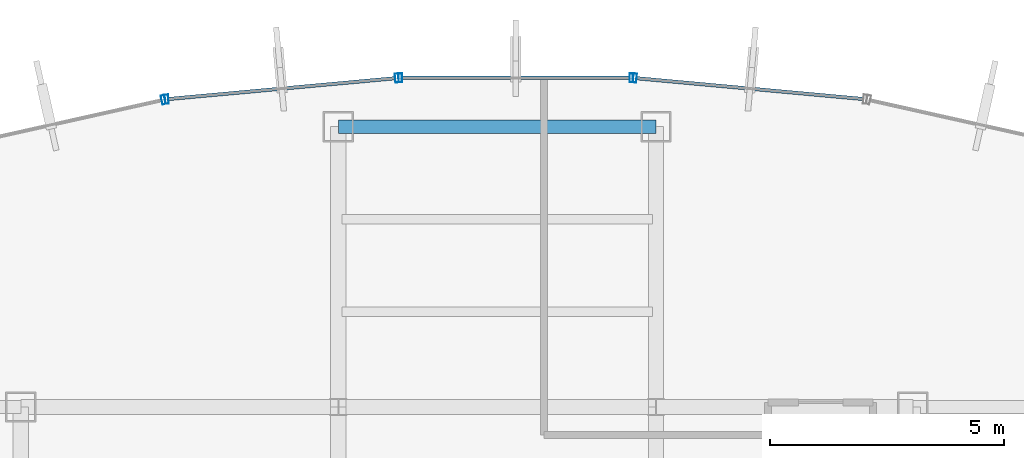
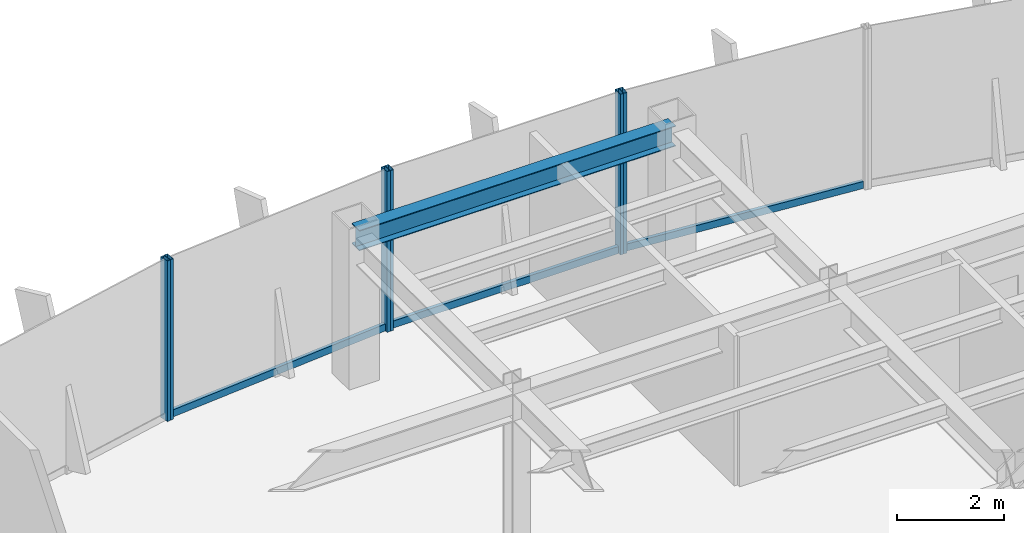
# One storey, part 10 of 19: 9 members, 1 beam, 4 elements without a shape of their own.
"""IFC4 building model written with IfcOpenShell, lengths in metres."""

from ifc_helpers import new_model, si_unit, derived_unit, direction, frame, origin, origin_2d, place, context, subcontext, project, spatial, hollow_rectangle, i_section, extrude, source, transform, mapped, material, material_profile, profile_set, type_object, element, aggregate, save


model = new_model("IFC4")

# Units and contexts
model_context = context("Model", 3, precision=1e-05, world=origin(), true_north=direction((0.0, 1.0)))
body_context = subcontext(model_context, "Body", "Model", "MODEL_VIEW")
ifc_project = project(units=[si_unit("LENGTHUNIT", "METRE"), si_unit("AREAUNIT", "SQUARE_METRE"), si_unit("VOLUMEUNIT", "CUBIC_METRE"), si_unit("PLANEANGLEUNIT", "RADIAN"), si_unit("MASSUNIT", "GRAM", prefix="KILO"), derived_unit("THERMALTRANSMITTANCEUNIT", [(si_unit("POWERUNIT", "WATT"), 1), (si_unit("LENGTHUNIT", "METRE"), -2), (si_unit("THERMODYNAMICTEMPERATUREUNIT", "KELVIN"), -1)])], contexts=[model_context])

# Site, building, storey
site_placement = place(None, origin())
site = spatial("IfcSite", under=ifc_project, at=site_placement, CompositionType="ELEMENT")
building_placement = place(site_placement, origin())
building = spatial("IfcBuilding", under=site, at=building_placement, Name="Skarnbrae Concourse Arena and Tower", CompositionType="ELEMENT")
storey_placement = place(building_placement, frame((0.0, 0.0, 180.75)))
storey = spatial("IfcBuildingStorey", under=building, at=storey_placement, Name="L46", CompositionType="ELEMENT", Elevation=180.75)

# Beam
ifc_material_1 = material(Name="Steel CSA G40.21 350W", Category="steel")
ifc_material_profile_1 = material_profile(ifc_material_1, i_section(OverallWidth=0.280029296875, OverallDepth=0.462890625, WebThickness=0.0107421875, FlangeThickness=0.017333984375, at=origin_2d()), Name="W460X113")
ifc_profile_set_1 = profile_set([ifc_material_profile_1], Name="Steel CSA G40.21 350W")
beam_type = type_object("IfcBeamType", Name="BM-SPAN-W460X113", PredefinedType="SPANDREL", material=ifc_profile_set_1)
shared_shape_1 = source(origin(), body_context, "Body", "SweptSolid", [
    extrude(i_section(OverallWidth=0.280029296875, OverallDepth=0.462890625, WebThickness=0.0107421875, FlangeThickness=0.017333984375, at=origin_2d()), origin(), (0.0, 0.0, 1.0), 6.800048828125),
])
beam_placement = place(storey_placement, frame((21.199951171875, 40.39990234375, 3.16845703125), z_axis=(1.0, 0.0, 0.0), x_axis=(0.0, 1.0, 0.0)))
element("IfcBeam", 1, at=beam_placement, inside=storey, type_object=beam_type, Name="L46 Perimeter spandrel Y40.4-1", PredefinedType="SPANDREL", context=body_context, shape_type="MappedRepresentation", body=[
    mapped(shared_shape_1, transform((0.0, 0.0, 0.0))),
])

# Curtain wall, member
ifc_material_2 = material(Name="Bronze anodised aluminium 6063-T6", Category="aluminium")
curtain_wall_type = type_object("IfcCurtainWallType", Name="CW-SYS-04-MIDZONE", PredefinedType="USERDEFINED", material=ifc_material_2)
curtain_wall_1_placement = place(storey_placement, origin())
curtain_wall_1 = element("IfcCurtainWall", 2, at=curtain_wall_1_placement, inside=storey, type_object=curtain_wall_type, Name="L46 Unitised curtain wall CW-L46-E10", ObjectType="UNITISED CURTAIN WALL", PredefinedType="USERDEFINED")
ifc_material_profile_2 = material_profile(ifc_material_2, hollow_rectangle(XDim=0.074951171875, YDim=0.195068359375, WallThickness=0.00439453125, at=origin_2d()), Name="ALU-MULL-75X195")
ifc_profile_set_2 = profile_set([ifc_material_profile_2], Name="Bronze anodised aluminium 6063-T6")
member_type_1 = type_object("IfcMemberType", Name="CWM-CW-04", PredefinedType="MULLION", material=ifc_profile_set_2)
shared_shape_2 = source(origin(), body_context, "Body", "SweptSolid", [
    extrude(hollow_rectangle(XDim=0.074951171875, YDim=0.195068359375, WallThickness=0.00439453125, at=origin_2d()), origin(), (0.0, 0.0, 1.0), 3.64990234375),
])
member_1_placement = place(storey_placement, frame((27.548583984375, 41.442138671875, 0.0), z_axis=(0.0, 0.0, 1.0), x_axis=(-0.995819926016, 0.091338244731, 0.0)))
member_1 = element("IfcMember", 3, at=member_1_placement, type_object=member_type_1, Name="CW-L46-E10 Mullion 2", PredefinedType="MULLION", context=body_context, shape_type="MappedRepresentation", body=[
    mapped(shared_shape_2, transform((0.0, 0.0, 0.0))),
])

# Curtain wall, members
curtain_wall_2_placement = place(storey_placement, origin())
curtain_wall_2 = element("IfcCurtainWall", 4, at=curtain_wall_2_placement, inside=storey, type_object=curtain_wall_type, Name="L46 Unitised curtain wall CW-L46-E11", ObjectType="UNITISED CURTAIN WALL", PredefinedType="USERDEFINED")
member_2_placement = place(storey_placement, frame((27.473876953125, 41.445556640625, 0.0), z_axis=(0.0, 0.0, 1.0), x_axis=(-1.0, 0.0, 0.0)))
member_2 = element("IfcMember", 5, at=member_2_placement, type_object=member_type_1, Name="CW-L46-E11 Mullion 1", PredefinedType="MULLION", context=body_context, shape_type="MappedRepresentation", body=[
    mapped(shared_shape_2, transform((0.0, 0.0, 0.0))),
])
member_3_placement = place(storey_placement, frame((22.526123046875, 41.445556640625, 0.0), z_axis=(0.0, 0.0, 1.0), x_axis=(-1.0, 0.0, 0.0)))
member_3 = element("IfcMember", 6, at=member_3_placement, type_object=member_type_1, Name="CW-L46-E11 Mullion 2", PredefinedType="MULLION", context=body_context, shape_type="MappedRepresentation", body=[
    mapped(shared_shape_2, transform((0.0, 0.0, 0.0))),
])

curtain_wall_3_placement = place(storey_placement, origin())
curtain_wall_3 = element("IfcCurtainWall", 7, at=curtain_wall_3_placement, inside=storey, type_object=curtain_wall_type, Name="L46 Unitised curtain wall CW-L46-E12", ObjectType="UNITISED CURTAIN WALL", PredefinedType="USERDEFINED")
member_4_placement = place(storey_placement, frame((22.451416015625, 41.442138671875, 0.0), z_axis=(0.0, 0.0, 1.0), x_axis=(-0.995819926016, -0.091338244731, 0.0)))
member_4 = element("IfcMember", 8, at=member_4_placement, type_object=member_type_1, Name="CW-L46-E12 Mullion 1", PredefinedType="MULLION", context=body_context, shape_type="MappedRepresentation", body=[
    mapped(shared_shape_2, transform((0.0, 0.0, 0.0))),
])
member_5_placement = place(storey_placement, frame((17.52490234375, 40.990234375, 0.0), z_axis=(0.0, 0.0, 1.0), x_axis=(-0.995819926016, -0.091338244731, 0.0)))
member_5 = element("IfcMember", 9, at=member_5_placement, type_object=member_type_1, Name="CW-L46-E12 Mullion 2", PredefinedType="MULLION", context=body_context, shape_type="MappedRepresentation", body=[
    mapped(shared_shape_2, transform((0.0, 0.0, 0.0))),
])

# Curtain wall, member
curtain_wall_4_placement = place(storey_placement, origin())
curtain_wall_4 = element("IfcCurtainWall", 10, at=curtain_wall_4_placement, inside=storey, type_object=curtain_wall_type, Name="L46 Unitised curtain wall CW-L46-E13", ObjectType="UNITISED CURTAIN WALL", PredefinedType="USERDEFINED")
member_6_placement = place(storey_placement, frame((17.451171875, 40.978759765625, 0.0), z_axis=(0.0, 0.0, 1.0), x_axis=(-0.975936175393, -0.218056372433, 0.0)))
member_6 = element("IfcMember", 11, at=member_6_placement, type_object=member_type_1, Name="CW-L46-E13 Mullion 1", PredefinedType="MULLION", context=body_context, shape_type="MappedRepresentation", body=[
    mapped(shared_shape_2, transform((0.0, 0.0, 0.0))),
])
aggregate(curtain_wall_4, [member_6])

# Member
ifc_material_profile_3 = material_profile(ifc_material_2, hollow_rectangle(XDim=0.074951171875, YDim=0.159912109375, WallThickness=0.00439453125, at=origin_2d()), Name="ALU-TRAN-75X160")
ifc_profile_set_3 = profile_set([ifc_material_profile_3], Name="Bronze anodised aluminium 6063-T6")
member_type_2 = type_object("IfcMemberType", Name="CWT-CW-04", PredefinedType="USERDEFINED", material=ifc_profile_set_3)
shared_shape_3 = source(origin(), body_context, "Body", "SweptSolid", [
    extrude(hollow_rectangle(XDim=0.074951171875, YDim=0.159912109375, WallThickness=0.00439453125, at=origin_2d()), origin(), (0.0, 0.0, 1.0), 4.871826171875),
])
member_7_placement = place(storey_placement, frame((32.4375, 40.993896484375, 0.080078125), z_axis=(-0.99582308224, 0.091303827287, 0.0), x_axis=(-0.091303827287, -0.99582308224, 0.0)))
member_7 = element("IfcMember", 12, at=member_7_placement, type_object=member_type_2, Name="CW-L46-E10 Transom 1", ObjectType="TRANSOM", PredefinedType="USERDEFINED", context=body_context, shape_type="MappedRepresentation", body=[
    mapped(shared_shape_3, transform((0.0, 0.0, 0.0))),
])

aggregate(curtain_wall_1, [member_1, member_7])

member_8_placement = place(storey_placement, frame((22.4140625, 41.438720703125, 0.080078125), z_axis=(-0.99582308224, -0.091303827287, 0.0), x_axis=(0.091303827287, -0.99582308224, 0.0)))
member_8 = element("IfcMember", 13, at=member_8_placement, type_object=member_type_2, Name="CW-L46-E12 Transom 1", ObjectType="TRANSOM", PredefinedType="USERDEFINED", context=body_context, shape_type="MappedRepresentation", body=[
    mapped(shared_shape_3, transform((0.0, 0.0, 0.0))),
])

aggregate(curtain_wall_3, [member_4, member_5, member_8])

shared_shape_4 = source(origin(), body_context, "Body", "SweptSolid", [
    extrude(hollow_rectangle(XDim=0.074951171875, YDim=0.159912109375, WallThickness=0.00439453125, at=origin_2d()), origin(), (0.0, 0.0, 1.0), 4.87255859375),
])
member_9_placement = place(storey_placement, frame((27.436279296875, 41.445556640625, 0.080078125), z_axis=(-1.0, 0.0, 0.0), x_axis=(0.0, -1.0, 0.0)))
member_9 = element("IfcMember", 14, at=member_9_placement, type_object=member_type_2, Name="CW-L46-E11 Transom 1", ObjectType="TRANSOM", PredefinedType="USERDEFINED", context=body_context, shape_type="MappedRepresentation", body=[
    mapped(shared_shape_4, transform((0.0, 0.0, 0.0))),
])

aggregate(curtain_wall_2, [member_2, member_3, member_9])

save(model, "model.ifc")
